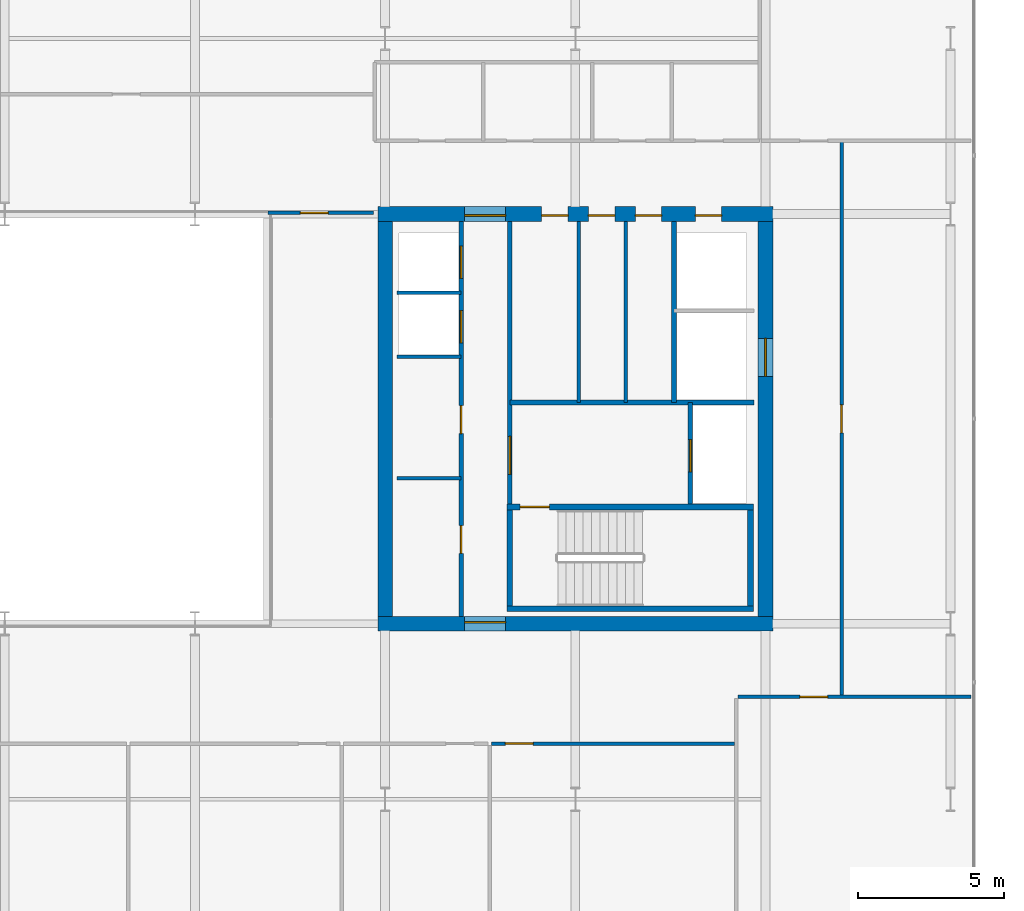
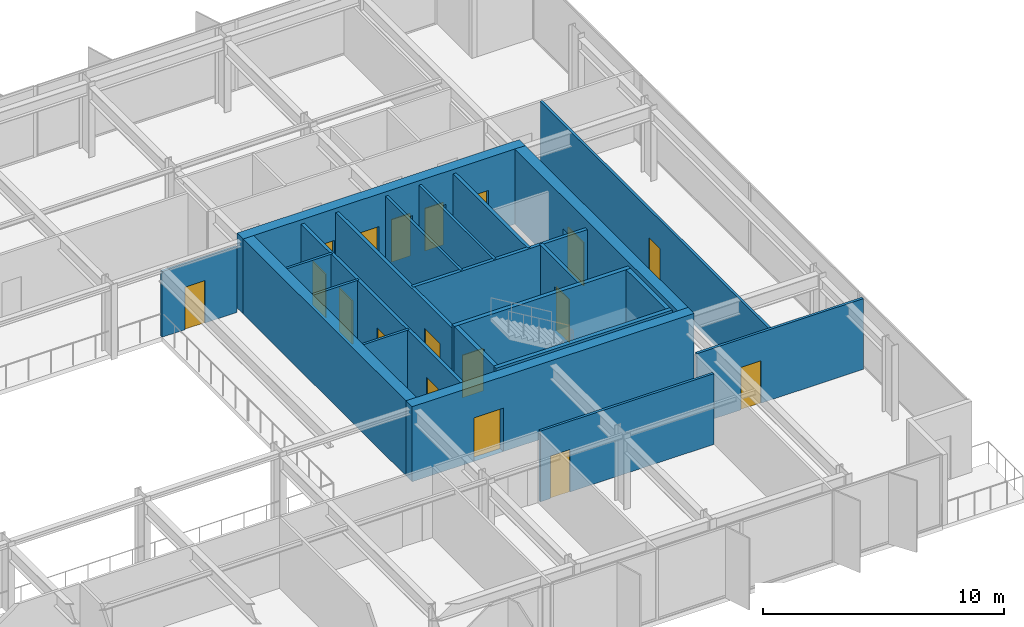
# One storey, part 18 of 24: 22 walls, 18 doors, 18 openings.
"""IFC4 building model written with IfcOpenShell, lengths in metres."""

from ifc_helpers import new_model, si_unit, direction, frame, frame_2d, origin, place, context, subcontext, project, spatial, rectangle, extrude, material, layer, layer_set, type_object, element, fill, save


model = new_model("IFC4")

# Units and contexts
model_context = context("Model", 3, precision=1e-05, world=origin(), true_north=direction((0.0, 1.0)))
body_context = subcontext(model_context, "Body", "Model", "MODEL_VIEW")
ifc_project = project(units=[si_unit("LENGTHUNIT", "METRE"), si_unit("AREAUNIT", "SQUARE_METRE"), si_unit("VOLUMEUNIT", "CUBIC_METRE"), si_unit("PLANEANGLEUNIT", "RADIAN"), si_unit("MASSUNIT", "GRAM", prefix="KILO")], contexts=[model_context])

# Site, building, storey
site_placement = place(None, origin())
site = spatial("IfcSite", under=ifc_project, at=site_placement, CompositionType="ELEMENT")
building_placement = place(site_placement, origin())
building = spatial("IfcBuilding", under=site, at=building_placement, Name="Putna Gate Headquarters", CompositionType="ELEMENT")
storey_placement = place(building_placement, frame((0.0, 0.0, 248.0)))
storey = spatial("IfcBuildingStorey", under=building, at=storey_placement, Name="L62", CompositionType="ELEMENT", Elevation=248.0)

# Wall, opening, door
ifc_material_1 = material(Name="Concrete C50/60", Category="concrete")
ifc_layer_1 = layer(ifc_material_1, 0.5)
ifc_layer_set_1 = layer_set([ifc_layer_1], Name="Concrete C50/60")
wall_type_1 = type_object("IfcWallType", Name="WALL-CORE-500", PredefinedType="SHEAR", material=ifc_layer_set_1)
wall_1_placement = place(storey_placement, frame((51.75, 19.0, 0.0), z_axis=(0.0, 0.0, 1.0), x_axis=(1.0, 0.0, 0.0)))
wall_1 = element("IfcWall", 1, at=wall_1_placement, inside=storey, type_object=wall_type_1, Name="L62 EC Split Core Shear Wall S", PredefinedType="SHEAR", context=body_context, shape_type="SweptSolid", body=[
    extrude(rectangle(XDim=13.5, YDim=0.5, at=frame_2d((6.75, 0.0))), origin(), (0.0, 0.0, 1.0), 3.800048828125),
])
opening_1_placement = place(wall_1_placement, frame((2.969970703125, 0.0, 0.0)))
opening_1 = element("IfcOpeningElement", 2, at=opening_1_placement, cuts=wall_1, Name="Opening FDD-140", PredefinedType="OPENING", context=body_context, shape_type="SweptSolid", body=[
    extrude(rectangle(XDim=1.39990234375, YDim=2.199951171875, at=frame_2d((0.699951171875, 1.10009765625))), frame((0.0, 0.260009765625, 0.0), z_axis=(0.0, -1.0, 0.0), x_axis=(1.0, 0.0, 0.0)), (0.0, 0.0, 1.0), 0.52001953125),
])
ifc_material_2 = material(Name="Double steel fire door", Category="steel")
door_type_1 = type_object("IfcDoorType", Name="DOOR-FIRE-DBL-1400", OperationType="DOUBLE_DOOR_SINGLE_SWING", PredefinedType="DOOR", material=ifc_material_2)
door_1_placement = place(opening_1_placement, origin())
door_1 = element("IfcDoor", 3, at=door_1_placement, inside=storey, type_object=door_type_1, Name="L62 East Lift Lobby South Door", OperationType="DOUBLE_DOOR_SINGLE_SWING", OverallHeight=2.199951171875, OverallWidth=1.39990234375, PredefinedType="DOOR", context=body_context, shape_type="SweptSolid", body=[
    extrude(rectangle(XDim=1.39990234375, YDim=2.199951171875, at=frame_2d((0.699951171875, 1.10009765625))), frame((0.0, 0.0751953125, 0.0), z_axis=(0.0, -1.0, 0.0), x_axis=(1.0, 0.0, 0.0)), (0.0, 0.0, 1.0), 0.050048828125),
])
fill(opening_1, door_1)

# Wall, openings, doors
wall_2_placement = place(storey_placement, frame((51.75, 33.0, 0.0), z_axis=(0.0, 0.0, 1.0), x_axis=(1.0, 0.0, 0.0)))
wall_2 = element("IfcWall", 4, at=wall_2_placement, inside=storey, type_object=wall_type_1, Name="L62 EC Split Core Shear Wall N", PredefinedType="SHEAR", context=body_context, shape_type="SweptSolid", body=[
    extrude(rectangle(XDim=13.5, YDim=0.5, at=frame_2d((6.75, 0.0))), origin(), (0.0, 0.0, 1.0), 3.800048828125),
])
opening_2_placement = place(wall_2_placement, frame((2.969970703125, 0.0, 0.0)))
opening_2 = element("IfcOpeningElement", 5, at=opening_2_placement, cuts=wall_2, Name="Opening FDD-140", PredefinedType="OPENING", context=body_context, shape_type="SweptSolid", body=[
    extrude(rectangle(XDim=1.39990234375, YDim=2.199951171875, at=frame_2d((0.699951171875, 1.10009765625))), frame((0.0, 0.260009765625, 0.0), z_axis=(0.0, -1.0, 0.0), x_axis=(1.0, 0.0, 0.0)), (0.0, 0.0, 1.0), 0.52001953125),
])
opening_3_placement = place(wall_2_placement, frame((10.85009765625, 0.0, 0.0)))
opening_3 = element("IfcOpeningElement", 6, at=opening_3_placement, cuts=wall_2, Name="Opening RD-90", PredefinedType="OPENING", context=body_context, shape_type="SweptSolid", body=[
    extrude(rectangle(XDim=0.89990234375, YDim=2.14990234375, at=frame_2d((0.449951171875, 1.074951171875))), frame((0.0, 0.260009765625, 0.0), z_axis=(0.0, -1.0, 0.0), x_axis=(1.0, 0.0, 0.0)), (0.0, 0.0, 1.0), 0.52001953125),
])
opening_4_placement = place(wall_2_placement, frame((5.60009765625, 0.0, 0.0)))
opening_4 = element("IfcOpeningElement", 7, at=opening_4_placement, cuts=wall_2, Name="Opening IDS-90", PredefinedType="OPENING", context=body_context, shape_type="SweptSolid", body=[
    extrude(rectangle(XDim=0.89990234375, YDim=2.14990234375, at=frame_2d((0.449951171875, 1.074951171875))), frame((0.0, 0.260009765625, 0.0), z_axis=(0.0, -1.0, 0.0), x_axis=(1.0, 0.0, 0.0)), (0.0, 0.0, 1.0), 0.52001953125),
])
opening_5_placement = place(wall_2_placement, frame((7.199951171875, 0.0, 0.0)))
opening_5 = element("IfcOpeningElement", 8, at=opening_5_placement, cuts=wall_2, Name="Opening IDS-90", PredefinedType="OPENING", context=body_context, shape_type="SweptSolid", body=[
    extrude(rectangle(XDim=0.89990234375, YDim=2.14990234375, at=frame_2d((0.449951171875, 1.074951171875))), frame((0.0, 0.260009765625, 0.0), z_axis=(0.0, -1.0, 0.0), x_axis=(1.0, 0.0, 0.0)), (0.0, 0.0, 1.0), 0.52001953125),
])
opening_6_placement = place(wall_2_placement, frame((8.800048828125, 0.0, 0.0)))
opening_6 = element("IfcOpeningElement", 9, at=opening_6_placement, cuts=wall_2, Name="Opening IDS-90", PredefinedType="OPENING", context=body_context, shape_type="SweptSolid", body=[
    extrude(rectangle(XDim=0.89990234375, YDim=2.14990234375, at=frame_2d((0.449951171875, 1.074951171875))), frame((0.0, 0.260009765625, 0.0), z_axis=(0.0, -1.0, 0.0), x_axis=(1.0, 0.0, 0.0)), (0.0, 0.0, 1.0), 0.52001953125),
])
door_2_placement = place(opening_2_placement, origin())
door_2 = element("IfcDoor", 10, at=door_2_placement, inside=storey, type_object=door_type_1, Name="L62 East Lift Lobby North Door", OperationType="DOUBLE_DOOR_SINGLE_SWING", OverallHeight=2.199951171875, OverallWidth=1.39990234375, PredefinedType="DOOR", context=body_context, shape_type="SweptSolid", body=[
    extrude(rectangle(XDim=1.39990234375, YDim=2.199951171875, at=frame_2d((0.699951171875, 1.10009765625))), frame((0.0, -0.02490234375, 0.0), z_axis=(0.0, -1.0, 0.0), x_axis=(1.0, 0.0, 0.0)), (0.0, 0.0, 1.0), 0.050048828125),
])
fill(opening_2, door_2)
ifc_material_3 = material(Name="Fire-rated utility door")
door_type_2 = type_object("IfcDoorType", Name="DOOR-INT-900", OperationType="NOTDEFINED", PredefinedType="DOOR", material=ifc_material_3)
door_3_placement = place(opening_4_placement, origin())
door_3 = element("IfcDoor", 11, at=door_3_placement, inside=storey, type_object=door_type_2, Name="L62 East Cleaner Store Door", OperationType="SINGLE_SWING_RIGHT", OverallHeight=2.14990234375, OverallWidth=0.89990234375, PredefinedType="DOOR", context=body_context, shape_type="SweptSolid", body=[
    extrude(rectangle(XDim=0.89990234375, YDim=2.14990234375, at=frame_2d((0.449951171875, 1.074951171875))), frame((0.0, -0.02490234375, 0.0), z_axis=(0.0, -1.0, 0.0), x_axis=(1.0, 0.0, 0.0)), (0.0, 0.0, 1.0), 0.050048828125),
])
fill(opening_4, door_3)
door_4_placement = place(opening_5_placement, origin())
door_4 = element("IfcDoor", 12, at=door_4_placement, inside=storey, type_object=door_type_2, Name="L62 BMS Outstation Door", OperationType="SINGLE_SWING_LEFT", OverallHeight=2.14990234375, OverallWidth=0.89990234375, PredefinedType="DOOR", context=body_context, shape_type="SweptSolid", body=[
    extrude(rectangle(XDim=0.89990234375, YDim=2.14990234375, at=frame_2d((0.449951171875, 1.074951171875))), frame((0.0, -0.02490234375, 0.0), z_axis=(0.0, -1.0, 0.0), x_axis=(1.0, 0.0, 0.0)), (0.0, 0.0, 1.0), 0.050048828125),
])
fill(opening_5, door_4)
door_5_placement = place(opening_6_placement, origin())
door_5 = element("IfcDoor", 13, at=door_5_placement, inside=storey, type_object=door_type_2, Name="L62 Facilities Equipment Store Door", OperationType="SINGLE_SWING_RIGHT", OverallHeight=2.14990234375, OverallWidth=0.89990234375, PredefinedType="DOOR", context=body_context, shape_type="SweptSolid", body=[
    extrude(rectangle(XDim=0.89990234375, YDim=2.14990234375, at=frame_2d((0.449951171875, 1.074951171875))), frame((0.0, -0.02490234375, 0.0), z_axis=(0.0, -1.0, 0.0), x_axis=(1.0, 0.0, 0.0)), (0.0, 0.0, 1.0), 0.050048828125),
])
fill(opening_6, door_5)
ifc_material_4 = material(Name="Steel riser access fire door", Category="steel")
door_type_3 = type_object("IfcDoorType", Name="DOOR-RISER-900", OperationType="NOTDEFINED", PredefinedType="DOOR", material=ifc_material_4)
door_6_placement = place(opening_3_placement, origin())
door_6 = element("IfcDoor", 14, at=door_6_placement, inside=storey, type_object=door_type_3, Name="L62 East Riser Access Door", OperationType="SINGLE_SWING_LEFT", OverallHeight=2.14990234375, OverallWidth=0.89990234375, PredefinedType="DOOR", context=body_context, shape_type="SweptSolid", body=[
    extrude(rectangle(XDim=0.89990234375, YDim=2.14990234375, at=frame_2d((0.449951171875, 1.074951171875))), frame((0.0, -0.02490234375, 0.0), z_axis=(0.0, -1.0, 0.0), x_axis=(1.0, 0.0, 0.0)), (0.0, 0.0, 1.0), 0.050048828125),
])
fill(opening_3, door_6)

# Wall
wall_3_placement = place(storey_placement, frame((52.0, 19.25, 0.0), z_axis=(0.0, 0.0, 1.0), x_axis=(0.0, 1.0, 0.0)))
element("IfcWall", 15, at=wall_3_placement, inside=storey, type_object=wall_type_1, Name="L62 EC Split Core Shear Wall W", PredefinedType="SHEAR", context=body_context, shape_type="SweptSolid", body=[
    extrude(rectangle(XDim=13.5, YDim=0.5, at=frame_2d((6.75, 0.0))), origin(), (0.0, 0.0, 1.0), 3.800048828125),
])

# Wall, opening, door
wall_4_placement = place(storey_placement, frame((65.0, 19.25, 0.0), z_axis=(0.0, 0.0, 1.0), x_axis=(0.0, 1.0, 0.0)))
wall_4 = element("IfcWall", 16, at=wall_4_placement, inside=storey, type_object=wall_type_1, Name="L62 EC Split Core Shear Wall E", PredefinedType="SHEAR", context=body_context, shape_type="SweptSolid", body=[
    extrude(rectangle(XDim=13.5, YDim=0.5, at=frame_2d((6.75, 0.0))), origin(), (0.0, 0.0, 1.0), 3.800048828125),
])
opening_7_placement = place(wall_4_placement, frame((8.199951171875, 0.0, 0.0)))
opening_7 = element("IfcOpeningElement", 17, at=opening_7_placement, cuts=wall_4, Name="Opening LD-2", PredefinedType="OPENING", context=body_context, shape_type="SweptSolid", body=[
    extrude(rectangle(XDim=1.300048828125, YDim=2.199951171875, at=frame_2d((0.64990234375, 1.10009765625))), frame((0.0, 0.260009765625, 0.0), z_axis=(0.0, -1.0, 0.0), x_axis=(1.0, 0.0, 0.0)), (0.0, 0.0, 1.0), 0.52001953125),
])
ifc_material_5 = material(Name="Heavy-duty goods lift sliding landing door")
door_type_4 = type_object("IfcDoorType", Name="DOOR-LIFT-1300", OperationType="DOUBLE_DOOR_SLIDING", PredefinedType="DOOR", material=ifc_material_5)
door_7_placement = place(opening_7_placement, origin())
door_7 = element("IfcDoor", 18, at=door_7_placement, inside=storey, type_object=door_type_4, Name="L62 Goods Lift Landing Door LD-15", OperationType="DOUBLE_DOOR_SLIDING", OverallHeight=2.199951171875, OverallWidth=1.300048828125, PredefinedType="DOOR", context=body_context, shape_type="SweptSolid", body=[
    extrude(rectangle(XDim=1.300048828125, YDim=2.199951171875, at=frame_2d((0.64990234375, 1.10009765625))), frame((0.0, 0.02490234375, 0.0), z_axis=(0.0, -1.0, 0.0), x_axis=(1.0, 0.0, 0.0)), (0.0, 0.0, 1.0), 0.050048828125),
])
fill(opening_7, door_7)

ifc_material_6 = material(Name="Acoustic gypsum board on metal stud")
ifc_layer_2 = layer(ifc_material_6, 0.1201171875)
ifc_layer_set_2 = layer_set([ifc_layer_2], Name="Acoustic gypsum board on metal stud")
wall_type_2 = type_object("IfcWallType", Name="WALL-PART-120", PredefinedType="PARTITIONING", material=ifc_layer_set_2)
wall_5_placement = place(storey_placement, frame((48.0, 33.0400390625, 0.0), z_axis=(0.0, 0.0, 1.0), x_axis=(1.0, 0.0, 0.0)))
wall_5 = element("IfcWall", 19, at=wall_5_placement, inside=storey, type_object=wall_type_2, Name="L62 Interior Wall PART-L62-ATR-E-N", PredefinedType="PARTITIONING", context=body_context, shape_type="SweptSolid", body=[
    extrude(rectangle(XDim=3.60009765625, YDim=0.1201171875, at=frame_2d((1.800048828125, 0.0))), origin(), (0.0, 0.0, 1.0), 3.320068359375),
])
opening_8_placement = place(wall_5_placement, frame((1.10009765625, 0.0, 0.0)))
opening_8 = element("IfcOpeningElement", 20, at=opening_8_placement, cuts=wall_5, Name="Opening ID-95", PredefinedType="OPENING", context=body_context, shape_type="SweptSolid", body=[
    extrude(rectangle(XDim=0.949951171875, YDim=2.14990234375, at=frame_2d((0.47509765625, 1.074951171875))), frame((0.0, 0.070068359375, 0.0), z_axis=(0.0, -1.0, 0.0), x_axis=(1.0, 0.0, 0.0)), (0.0, 0.0, 1.0), 0.14013671875),
])
ifc_material_7 = material(Name="Veneered acoustic timber door", Category="wood")
door_type_5 = type_object("IfcDoorType", Name="DOOR-OFF-950", OperationType="NOTDEFINED", PredefinedType="DOOR", material=ifc_material_7)
door_8_placement = place(opening_8_placement, origin())
door_8 = element("IfcDoor", 21, at=door_8_placement, inside=storey, type_object=door_type_5, Name="L62 East Sky Atrium Lounge Door", OperationType="SINGLE_SWING_LEFT", OverallHeight=2.14990234375, OverallWidth=0.949951171875, PredefinedType="DOOR", context=body_context, shape_type="SweptSolid", body=[
    extrude(rectangle(XDim=0.949951171875, YDim=2.14990234375, at=frame_2d((0.47509765625, 1.074951171875))), frame((0.0, 0.02490234375, 0.0), z_axis=(0.0, -1.0, 0.0), x_axis=(1.0, 0.0, 0.0)), (0.0, 0.0, 1.0), 0.050048828125),
])
fill(opening_8, door_8)

# Walls
ifc_material_8 = material(Name="Fire-rated shaftwall gypsum board on metal stud")
ifc_layer_3 = layer(ifc_material_8, 0.1201171875)
ifc_layer_set_3 = layer_set([ifc_layer_3], Name="Fire-rated shaftwall gypsum board on metal stud")
wall_type_3 = type_object("IfcWallType", Name="WALL-PART-120-EI120", PredefinedType="PARTITIONING", material=ifc_layer_set_3)
wall_6_placement = place(storey_placement, frame((52.39990234375, 30.31005859375, 0.0), z_axis=(0.0, 0.0, 1.0), x_axis=(1.0, 0.0, 0.0)))
element("IfcWall", 22, at=wall_6_placement, inside=storey, type_object=wall_type_3, Name="L62 Interior Wall CWINT-L62-EC-LF11-DIV", PredefinedType="PARTITIONING", context=body_context, shape_type="SweptSolid", body=[
    extrude(rectangle(XDim=2.2001953125, YDim=0.1201171875, at=frame_2d((1.10009765625, 0.0))), origin(), (0.0, 0.0, 1.0), 3.580078125),
])
ifc_material_9 = material(Name="Fire-rated gypsum board on metal stud")
ifc_layer_4 = layer(ifc_material_9, 0.1201171875)
ifc_layer_set_4 = layer_set([ifc_layer_4], Name="Fire-rated gypsum board on metal stud")
wall_type_4 = type_object("IfcWallType", Name="WALL-PART-120-RATED", PredefinedType="PARTITIONING", material=ifc_layer_set_4)
for number, where, z_axis, x_axis, name in (
    (23, (52.39990234375, 23.969970703125, 0.0), (0.0, 0.0, 1.0), (1.0, 0.0, 0.0), "L62 Interior Wall CWINT-L62-EC-REUSE-DIV"),
    (24, (52.39990234375, 28.1201171875, 0.0), (0.0, 0.0, 1.0), (1.0, 0.0, 0.0), "L62 Interior Wall CWINT-L62-EC-LF08-DIV"),
):
    element("IfcWall", number, at=place(storey_placement, frame(where, z_axis=z_axis, x_axis=x_axis)), inside=storey, type_object=wall_type_4, Name=name, PredefinedType="PARTITIONING", context=body_context, shape_type="SweptSolid", body=[
        extrude(rectangle(XDim=2.2001953125, YDim=0.1201171875, at=frame_2d((1.10009765625, 0.0))), origin(), (0.0, 0.0, 1.0), 3.580078125),
    ])
for number, where, z_axis, x_axis, name in (
    (25, (58.6201171875, 26.56005859375, 0.0), (0.0, 0.0, 1.0), (0.0, 1.0, 0.0), "L62 Interior Wall CWINT-L62-EC-K2-D1"),
    (26, (60.219970703125, 26.56005859375, 0.0), (0.0, 0.0, 1.0), (0.0, 1.0, 0.0), "L62 Interior Wall CWINT-L62-EC-K2-D2"),
):
    element("IfcWall", number, at=place(storey_placement, frame(where, z_axis=z_axis, x_axis=x_axis)), inside=storey, type_object=wall_type_4, Name=name, PredefinedType="PARTITIONING", context=body_context, shape_type="SweptSolid", body=[
        extrude(rectangle(XDim=6.18994140625, YDim=0.1201171875, at=frame_2d((3.094970703125, 0.0))), origin(), (0.0, 0.0, 1.0), 3.580078125),
    ])

# Wall, opening, door
wall_7_placement = place(storey_placement, frame((55.62939453125, 14.89990234375, 0.0), z_axis=(0.0, 0.0, 1.0), x_axis=(1.0, 0.0, 0.0)))
wall_7 = element("IfcWall", 27, at=wall_7_placement, inside=storey, type_object=wall_type_4, Name="L62 Interior Wall PART-L62-SB-CW-08", PredefinedType="PARTITIONING", context=body_context, shape_type="SweptSolid", body=[
    extrude(rectangle(XDim=8.313232421875, YDim=0.1201171875, at=frame_2d((4.15673828125, 0.0))), origin(), (0.0, 0.0, 1.0), 3.580078125),
])
opening_9_placement = place(wall_7_placement, frame((0.47998046875, 0.0, 0.0)))
opening_9 = element("IfcOpeningElement", 28, at=opening_9_placement, cuts=wall_7, Name="Opening FD-95", PredefinedType="OPENING", context=body_context, shape_type="SweptSolid", body=[
    extrude(rectangle(XDim=0.949951171875, YDim=2.14990234375, at=frame_2d((0.47509765625, 1.074951171875))), frame((0.0, 0.070068359375, 0.0), z_axis=(0.0, -1.0, 0.0), x_axis=(1.0, 0.0, 0.0)), (0.0, 0.0, 1.0), 0.14013671875),
])
ifc_material_10 = material(Name="Acoustic timber fire door", Category="wood")
door_type_6 = type_object("IfcDoorType", Name="DOOR-FIRE-950", OperationType="NOTDEFINED", PredefinedType="DOOR", material=ifc_material_10)
door_9_placement = place(opening_9_placement, origin())
door_9 = element("IfcDoor", 29, at=door_9_placement, inside=storey, type_object=door_type_6, Name="L62 Quiet Wellness Focus Studio 3 Door", OperationType="SINGLE_SWING_RIGHT", OverallHeight=2.14990234375, OverallWidth=0.949951171875, PredefinedType="DOOR", context=body_context, shape_type="SweptSolid", body=[
    extrude(rectangle(XDim=0.949951171875, YDim=2.14990234375, at=frame_2d((0.47509765625, 1.074951171875))), frame((0.0, 0.02490234375, 0.0), z_axis=(0.0, -1.0, 0.0), x_axis=(1.0, 0.0, 0.0)), (0.0, 0.0, 1.0), 0.050048828125),
])
fill(opening_9, door_9)

wall_8_placement = place(storey_placement, frame((64.062744140625, 16.5, 0.0), z_axis=(0.0, 0.0, 1.0), x_axis=(1.0, 0.0, 0.0)))
wall_8 = element("IfcWall", 30, at=wall_8_placement, inside=storey, type_object=wall_type_4, Name="L62 Interior Wall PART-L62-SB-CW-09", PredefinedType="PARTITIONING", context=body_context, shape_type="SweptSolid", body=[
    extrude(rectangle(XDim=7.957275390625, YDim=0.1201171875, at=frame_2d((3.978515625, 0.0))), origin(), (0.0, 0.0, 1.0), 3.580078125),
])
opening_10_placement = place(wall_8_placement, frame((2.107421875, 0.0, 0.0)))
opening_10 = element("IfcOpeningElement", 31, at=opening_10_placement, cuts=wall_8, Name="Opening FD-95", PredefinedType="OPENING", context=body_context, shape_type="SweptSolid", body=[
    extrude(rectangle(XDim=0.949951171875, YDim=2.14990234375, at=frame_2d((0.47509765625, 1.074951171875))), frame((0.0, 0.070068359375, 0.0), z_axis=(0.0, -1.0, 0.0), x_axis=(1.0, 0.0, 0.0)), (0.0, 0.0, 1.0), 0.14013671875),
])
door_10_placement = place(opening_10_placement, origin())
door_10 = element("IfcDoor", 32, at=door_10_placement, inside=storey, type_object=door_type_6, Name="L62 Cellular Office 4 Door", OperationType="SINGLE_SWING_LEFT", OverallHeight=2.14990234375, OverallWidth=0.949951171875, PredefinedType="DOOR", context=body_context, shape_type="SweptSolid", body=[
    extrude(rectangle(XDim=0.949951171875, YDim=2.14990234375, at=frame_2d((0.47509765625, 1.074951171875))), frame((0.0, 0.02490234375, 0.0), z_axis=(0.0, -1.0, 0.0), x_axis=(1.0, 0.0, 0.0)), (0.0, 0.0, 1.0), 0.050048828125),
])
fill(opening_10, door_10)

wall_9_placement = place(storey_placement, frame((67.60009765625, 16.5, 0.0), z_axis=(0.0, 0.0, 1.0), x_axis=(0.0, 1.0, 0.0)))
wall_9 = element("IfcWall", 33, at=wall_9_placement, inside=storey, type_object=wall_type_4, Name="L62 Interior Wall PART-L62-EW-CW-1", PredefinedType="PARTITIONING", context=body_context, shape_type="SweptSolid", body=[
    extrude(rectangle(XDim=19.0, YDim=0.1201171875, at=frame_2d((9.5, 0.0))), origin(), (0.0, 0.0, 1.0), 3.580078125),
])
opening_11_placement = place(wall_9_placement, frame((9.02490234375, 0.0, 0.0)))
opening_11 = element("IfcOpeningElement", 34, at=opening_11_placement, cuts=wall_9, Name="Opening FD-95", PredefinedType="OPENING", context=body_context, shape_type="SweptSolid", body=[
    extrude(rectangle(XDim=0.949951171875, YDim=2.14990234375, at=frame_2d((0.47509765625, 1.074951171875))), frame((0.0, 0.070068359375, 0.0), z_axis=(0.0, -1.0, 0.0), x_axis=(1.0, 0.0, 0.0)), (0.0, 0.0, 1.0), 0.14013671875),
])
door_11_placement = place(opening_11_placement, origin())
door_11 = element("IfcDoor", 35, at=door_11_placement, inside=storey, type_object=door_type_6, Name="L62 East Horizon Conference Room 1 Door", OperationType="SINGLE_SWING_RIGHT", OverallHeight=2.14990234375, OverallWidth=0.949951171875, PredefinedType="DOOR", context=body_context, shape_type="SweptSolid", body=[
    extrude(rectangle(XDim=0.949951171875, YDim=2.14990234375, at=frame_2d((0.47509765625, 1.074951171875))), frame((0.0, 0.02490234375, 0.0), z_axis=(0.0, -1.0, 0.0), x_axis=(1.0, 0.0, 0.0)), (0.0, 0.0, 1.0), 0.050048828125),
])
fill(opening_11, door_11)

# Wall, openings, doors
ifc_material_11 = material(Name="Concrete C40/50", Category="concrete")
ifc_layer_5 = layer(ifc_material_11, 0.159912109375)
ifc_layer_set_5 = layer_set([ifc_layer_5], Name="Concrete C40/50")
wall_type_5 = type_object("IfcWallType", Name="WALL-SHAFT-160", PredefinedType="STANDARD", material=ifc_layer_set_5)
wall_10_placement = place(storey_placement, frame((54.60009765625, 19.25, 0.0), z_axis=(0.0, 0.0, 1.0), x_axis=(0.0, 1.0, 0.0)))
wall_10 = element("IfcWall", 36, at=wall_10_placement, inside=storey, type_object=wall_type_5, Name="L62 Interior Wall CWINT-L62-EC-PL-WALL", PredefinedType="STANDARD", context=body_context, shape_type="SweptSolid", body=[
    extrude(rectangle(XDim=13.5, YDim=0.159912109375, at=frame_2d((6.75, 0.0))), origin(), (0.0, 0.0, 1.0), 3.580078125),
])
opening_12_placement = place(wall_10_placement, frame((2.14990234375, 0.0, 0.0)))
opening_12 = element("IfcOpeningElement", 37, at=opening_12_placement, cuts=wall_10, Name="Opening IDS-95", PredefinedType="OPENING", context=body_context, shape_type="SweptSolid", body=[
    extrude(rectangle(XDim=0.949951171875, YDim=2.14990234375, at=frame_2d((0.47509765625, 1.074951171875))), frame((0.0, 0.08984375, 0.0), z_axis=(0.0, -1.0, 0.0), x_axis=(1.0, 0.0, 0.0)), (0.0, 0.0, 1.0), 0.179931640625),
])
opening_13_placement = place(wall_10_placement, frame((6.25, 0.0, 0.0)))
opening_13 = element("IfcOpeningElement", 38, at=opening_13_placement, cuts=wall_10, Name="Opening IDS-95", PredefinedType="OPENING", context=body_context, shape_type="SweptSolid", body=[
    extrude(rectangle(XDim=0.949951171875, YDim=2.14990234375, at=frame_2d((0.47509765625, 1.074951171875))), frame((0.0, 0.08984375, 0.0), z_axis=(0.0, -1.0, 0.0), x_axis=(1.0, 0.0, 0.0)), (0.0, 0.0, 1.0), 0.179931640625),
])
opening_14_placement = place(wall_10_placement, frame((9.35009765625, 0.0, 0.0)))
opening_14 = element("IfcOpeningElement", 39, at=opening_14_placement, cuts=wall_10, Name="Opening LD-1", PredefinedType="OPENING", context=body_context, shape_type="SweptSolid", body=[
    extrude(rectangle(XDim=1.10009765625, YDim=2.199951171875, at=frame_2d((0.550048828125, 1.10009765625))), frame((0.0, 0.08984375, 0.0), z_axis=(0.0, -1.0, 0.0), x_axis=(1.0, 0.0, 0.0)), (0.0, 0.0, 1.0), 0.179931640625),
])
opening_15_placement = place(wall_10_placement, frame((11.550048828125, 0.0, 0.0)))
opening_15 = element("IfcOpeningElement", 40, at=opening_15_placement, cuts=wall_10, Name="Opening LD-1", PredefinedType="OPENING", context=body_context, shape_type="SweptSolid", body=[
    extrude(rectangle(XDim=1.10009765625, YDim=2.199951171875, at=frame_2d((0.550048828125, 1.10009765625))), frame((0.0, 0.08984375, 0.0), z_axis=(0.0, -1.0, 0.0), x_axis=(1.0, 0.0, 0.0)), (0.0, 0.0, 1.0), 0.179931640625),
])
ifc_material_12 = material(Name="Fire-rated service timber door", Category="wood")
door_type_7 = type_object("IfcDoorType", Name="DOOR-INT-950", OperationType="NOTDEFINED", PredefinedType="DOOR", material=ifc_material_12)
door_12_placement = place(opening_12_placement, origin())
door_12 = element("IfcDoor", 41, at=door_12_placement, inside=storey, type_object=door_type_7, Name="L62 Executive Archive Door", OperationType="SINGLE_SWING_RIGHT", OverallHeight=2.14990234375, OverallWidth=0.949951171875, PredefinedType="DOOR", context=body_context, shape_type="SweptSolid", body=[
    extrude(rectangle(XDim=0.949951171875, YDim=2.14990234375, at=frame_2d((0.47509765625, 1.074951171875))), frame((0.0, 0.02490234375, 0.0), z_axis=(0.0, -1.0, 0.0), x_axis=(1.0, 0.0, 0.0)), (0.0, 0.0, 1.0), 0.050048828125),
])
fill(opening_12, door_12)
door_13_placement = place(opening_13_placement, origin())
door_13 = element("IfcDoor", 42, at=door_13_placement, inside=storey, type_object=door_type_7, Name="L62 Comms Distribution Door", OperationType="SINGLE_SWING_LEFT", OverallHeight=2.14990234375, OverallWidth=0.949951171875, PredefinedType="DOOR", context=body_context, shape_type="SweptSolid", body=[
    extrude(rectangle(XDim=0.949951171875, YDim=2.14990234375, at=frame_2d((0.47509765625, 1.074951171875))), frame((0.0, 0.02490234375, 0.0), z_axis=(0.0, -1.0, 0.0), x_axis=(1.0, 0.0, 0.0)), (0.0, 0.0, 1.0), 0.050048828125),
])
fill(opening_13, door_13)
ifc_material_13 = material(Name="Brushed bronze stainless lift landing door")
door_type_8 = type_object("IfcDoorType", Name="DOOR-LIFT-1100", OperationType="DOUBLE_DOOR_SLIDING", PredefinedType="DOOR", material=ifc_material_13)
door_14_placement = place(opening_14_placement, origin())
door_14 = element("IfcDoor", 43, at=door_14_placement, inside=storey, type_object=door_type_8, Name="L62 Lift Landing Door LD-11", OperationType="DOUBLE_DOOR_SLIDING", OverallHeight=2.199951171875, OverallWidth=1.10009765625, PredefinedType="DOOR", context=body_context, shape_type="SweptSolid", body=[
    extrude(rectangle(XDim=1.10009765625, YDim=2.199951171875, at=frame_2d((0.550048828125, 1.10009765625))), frame((0.0, 0.02490234375, 0.0), z_axis=(0.0, -1.0, 0.0), x_axis=(1.0, 0.0, 0.0)), (0.0, 0.0, 1.0), 0.050048828125),
])
fill(opening_14, door_14)
door_15_placement = place(opening_15_placement, origin())
door_15 = element("IfcDoor", 44, at=door_15_placement, inside=storey, type_object=door_type_8, Name="L62 Lift Landing Door LD-12", OperationType="DOUBLE_DOOR_SLIDING", OverallHeight=2.199951171875, OverallWidth=1.10009765625, PredefinedType="DOOR", context=body_context, shape_type="SweptSolid", body=[
    extrude(rectangle(XDim=1.10009765625, YDim=2.199951171875, at=frame_2d((0.550048828125, 1.10009765625))), frame((0.0, 0.02490234375, 0.0), z_axis=(0.0, -1.0, 0.0), x_axis=(1.0, 0.0, 0.0)), (0.0, 0.0, 1.0), 0.050048828125),
])
fill(opening_15, door_15)

# Wall, opening, door
wall_11_placement = place(storey_placement, frame((56.260009765625, 23.090087890625, 0.0), z_axis=(0.0, 0.0, 1.0), x_axis=(0.0, 1.0, 0.0)))
wall_11 = element("IfcWall", 45, at=wall_11_placement, inside=storey, type_object=wall_type_5, Name="L62 Interior Wall CWINT-L62-EC-LOB-E", PredefinedType="STANDARD", context=body_context, shape_type="SweptSolid", body=[
    extrude(rectangle(XDim=9.659912109375, YDim=0.159912109375, at=frame_2d((4.830078125, 0.0))), origin(), (0.0, 0.0, 1.0), 3.580078125),
])
opening_16_placement = place(wall_11_placement, frame((1.010009765625, 0.0, 0.0)))
opening_16 = element("IfcOpeningElement", 46, at=opening_16_placement, cuts=wall_11, Name="Opening FDD-130", PredefinedType="OPENING", context=body_context, shape_type="SweptSolid", body=[
    extrude(rectangle(XDim=1.300048828125, YDim=2.199951171875, at=frame_2d((0.64990234375, 1.10009765625))), frame((0.0, 0.08984375, 0.0), z_axis=(0.0, -1.0, 0.0), x_axis=(1.0, 0.0, 0.0)), (0.0, 0.0, 1.0), 0.179931640625),
])
ifc_material_14 = material(Name="Double steel lobby fire door", Category="steel")
door_type_9 = type_object("IfcDoorType", Name="DOOR-FIRE-DBL-1300", OperationType="DOUBLE_DOOR_SINGLE_SWING", PredefinedType="DOOR", material=ifc_material_14)
door_16_placement = place(opening_16_placement, origin())
door_16 = element("IfcDoor", 47, at=door_16_placement, inside=storey, type_object=door_type_9, Name="L62 East Firefighting Lobby Door", OperationType="DOUBLE_DOOR_SINGLE_SWING", OverallHeight=2.199951171875, OverallWidth=1.300048828125, PredefinedType="DOOR", context=body_context, shape_type="SweptSolid", body=[
    extrude(rectangle(XDim=1.300048828125, YDim=2.199951171875, at=frame_2d((0.64990234375, 1.10009765625))), frame((0.0, 0.02490234375, 0.0), z_axis=(0.0, -1.0, 0.0), x_axis=(1.0, 0.0, 0.0)), (0.0, 0.0, 1.0), 0.050048828125),
])
fill(opening_16, door_16)

wall_12_placement = place(storey_placement, frame((62.429931640625, 23.090087890625, 0.0), z_axis=(0.0, 0.0, 1.0), x_axis=(0.0, 1.0, 0.0)))
wall_12 = element("IfcWall", 48, at=wall_12_placement, inside=storey, type_object=wall_type_5, Name="L62 Interior Wall CWINT-L62-EC-LF14-W", PredefinedType="STANDARD", context=body_context, shape_type="SweptSolid", body=[
    extrude(rectangle(XDim=3.469970703125, YDim=0.159912109375, at=frame_2d((1.73486328125, 0.0))), origin(), (0.0, 0.0, 1.0), 3.580078125),
])
opening_17_placement = place(wall_12_placement, frame((1.10009765625, 0.0, 0.0)))
opening_17 = element("IfcOpeningElement", 49, at=opening_17_placement, cuts=wall_12, Name="Opening LD-1", PredefinedType="OPENING", context=body_context, shape_type="SweptSolid", body=[
    extrude(rectangle(XDim=1.10009765625, YDim=2.199951171875, at=frame_2d((0.550048828125, 1.10009765625))), frame((0.0, 0.08984375, 0.0), z_axis=(0.0, -1.0, 0.0), x_axis=(1.0, 0.0, 0.0)), (0.0, 0.0, 1.0), 0.179931640625),
])
door_17_placement = place(opening_17_placement, origin())
door_17 = element("IfcDoor", 50, at=door_17_placement, inside=storey, type_object=door_type_8, Name="L62 Lift Landing Door LD-14", OperationType="DOUBLE_DOOR_SLIDING", OverallHeight=2.199951171875, OverallWidth=1.10009765625, PredefinedType="DOOR", context=body_context, shape_type="SweptSolid", body=[
    extrude(rectangle(XDim=1.10009765625, YDim=2.199951171875, at=frame_2d((0.550048828125, 1.10009765625))), frame((0.0, 0.02490234375, 0.0), z_axis=(0.0, -1.0, 0.0), x_axis=(1.0, 0.0, 0.0)), (0.0, 0.0, 1.0), 0.050048828125),
])
fill(opening_17, door_17)

# Walls
wall_13_placement = place(storey_placement, frame((56.260009765625, 26.56005859375, 0.0), z_axis=(0.0, 0.0, 1.0), x_axis=(1.0, 0.0, 0.0)))
element("IfcWall", 51, at=wall_13_placement, inside=storey, type_object=wall_type_5, Name="L62 Interior Wall CWINT-L62-EC-FFL-N", PredefinedType="STANDARD", context=body_context, shape_type="SweptSolid", body=[
    extrude(rectangle(XDim=8.340087890625, YDim=0.159912109375, at=frame_2d((4.169921875, 0.0))), origin(), (0.0, 0.0, 1.0), 3.580078125),
])
wall_14_placement = place(storey_placement, frame((61.8701171875, 26.56005859375, 0.0), z_axis=(0.0, 0.0, 1.0), x_axis=(0.0, 1.0, 0.0)))
element("IfcWall", 52, at=wall_14_placement, inside=storey, type_object=wall_type_5, Name="L62 Interior Wall CWINT-L62-EC-LF15-W", PredefinedType="STANDARD", context=body_context, shape_type="SweptSolid", body=[
    extrude(rectangle(XDim=6.18994140625, YDim=0.159912109375, at=frame_2d((3.094970703125, 0.0))), origin(), (0.0, 0.0, 1.0), 3.580078125),
])
ifc_layer_6 = layer(ifc_material_11, 0.199951171875)
ifc_layer_set_6 = layer_set([ifc_layer_6], Name="Concrete C40/50")
wall_type_6 = type_object("IfcWallType", Name="WALL-SHAFT-RC200", PredefinedType="SHEAR", material=ifc_layer_set_6)
wall_15_placement = place(storey_placement, frame((56.159912109375, 19.510009765625, 0.0), z_axis=(0.0, 0.0, 1.0), x_axis=(1.0, 0.0, 0.0)))
element("IfcWall", 53, at=wall_15_placement, inside=storey, type_object=wall_type_6, Name="L62 Stair ST2 Structural Shaft Wall S", PredefinedType="SHEAR", context=body_context, shape_type="SweptSolid", body=[
    extrude(rectangle(XDim=8.43017578125, YDim=0.199951171875, at=frame_2d((4.215087890625, 0.0))), origin(), (0.0, 0.0, 1.0), 3.800048828125),
])

# Wall, opening, door
wall_16_placement = place(storey_placement, frame((56.159912109375, 22.989990234375, 0.0), z_axis=(0.0, 0.0, 1.0), x_axis=(1.0, 0.0, 0.0)))
wall_16 = element("IfcWall", 54, at=wall_16_placement, inside=storey, type_object=wall_type_6, Name="L62 Stair ST2 Structural Shaft Wall N", PredefinedType="SHEAR", context=body_context, shape_type="SweptSolid", body=[
    extrude(rectangle(XDim=8.43017578125, YDim=0.199951171875, at=frame_2d((4.215087890625, 0.0))), origin(), (0.0, 0.0, 1.0), 3.800048828125),
])
opening_18_placement = place(wall_16_placement, frame((0.449951171875, 0.0, 0.0)))
opening_18 = element("IfcOpeningElement", 55, at=opening_18_placement, cuts=wall_16, Name="Opening FD-100", PredefinedType="OPENING", context=body_context, shape_type="SweptSolid", body=[
    extrude(rectangle(XDim=1.0, YDim=2.14990234375, at=frame_2d((0.5, 1.074951171875))), frame((0.0, 0.10986328125, 0.0), z_axis=(0.0, -1.0, 0.0), x_axis=(1.0, 0.0, 0.0)), (0.0, 0.0, 1.0), 0.219970703125),
])
ifc_material_15 = material(Name="Powder-coated steel fire door", Category="steel")
door_type_10 = type_object("IfcDoorType", Name="DOOR-FIRE-1000", OperationType="NOTDEFINED", PredefinedType="DOOR", material=ifc_material_15)
door_18_placement = place(opening_18_placement, origin())
door_18 = element("IfcDoor", 56, at=door_18_placement, inside=storey, type_object=door_type_10, Name="L62 Stair ST2 Fire Door", OperationType="SINGLE_SWING_RIGHT", OverallHeight=2.14990234375, OverallWidth=1.0, PredefinedType="DOOR", context=body_context, shape_type="SweptSolid", body=[
    extrude(rectangle(XDim=1.0, YDim=2.14990234375, at=frame_2d((0.5, 1.074951171875))), frame((0.0, 0.02490234375, 0.0), z_axis=(0.0, -1.0, 0.0), x_axis=(1.0, 0.0, 0.0)), (0.0, 0.0, 1.0), 0.050048828125),
])
fill(opening_18, door_18)

# Walls
for number, where, z_axis, x_axis, name in (
    (57, (56.260009765625, 19.610107421875, 0.0), (0.0, 0.0, 1.0), (0.0, 1.0, 0.0), "L62 Stair ST2 Structural Shaft Wall W"),
    (58, (64.489990234375, 19.610107421875, 0.0), (0.0, 0.0, 1.0), (0.0, 1.0, 0.0), "L62 Stair ST2 Structural Shaft Wall E"),
):
    element("IfcWall", number, at=place(storey_placement, frame(where, z_axis=z_axis, x_axis=x_axis)), inside=storey, type_object=wall_type_6, Name=name, PredefinedType="SHEAR", context=body_context, shape_type="SweptSolid", body=[
        extrude(rectangle(XDim=3.27978515625, YDim=0.199951171875, at=frame_2d((1.639892578125, 0.0))), origin(), (0.0, 0.0, 1.0), 3.800048828125),
    ])

save(model, "model.ifc")
